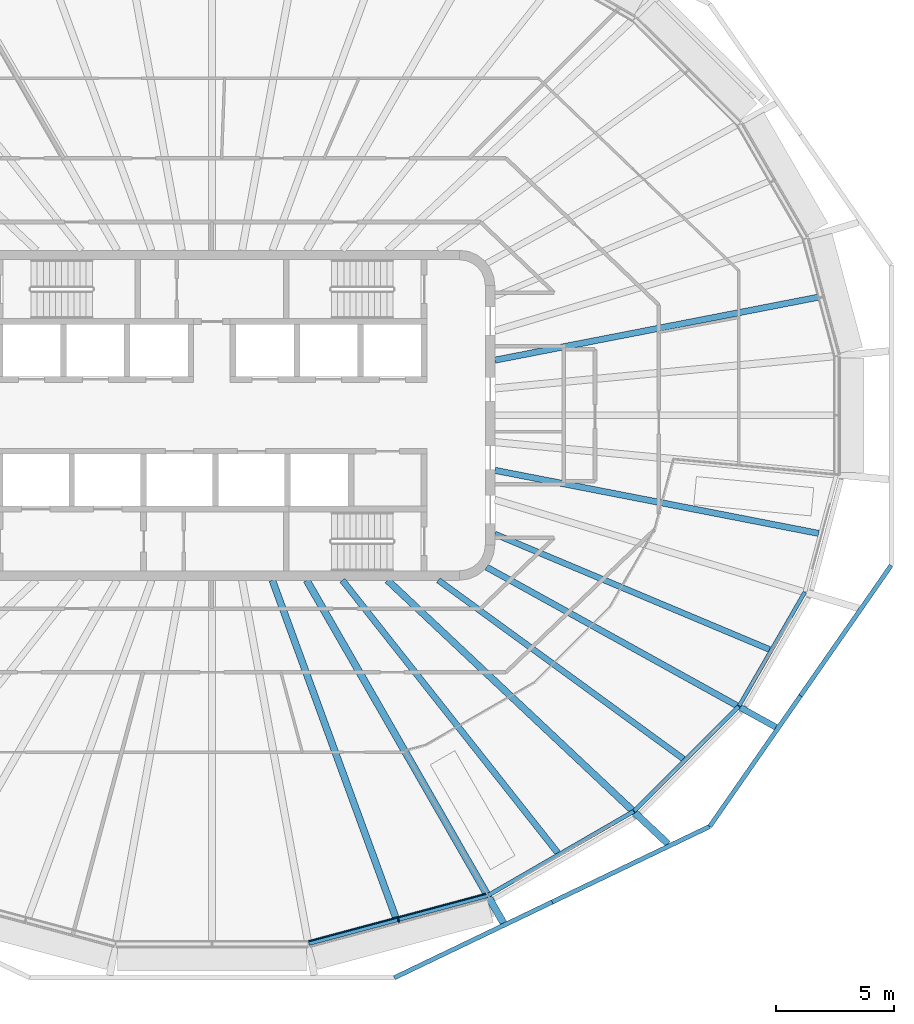
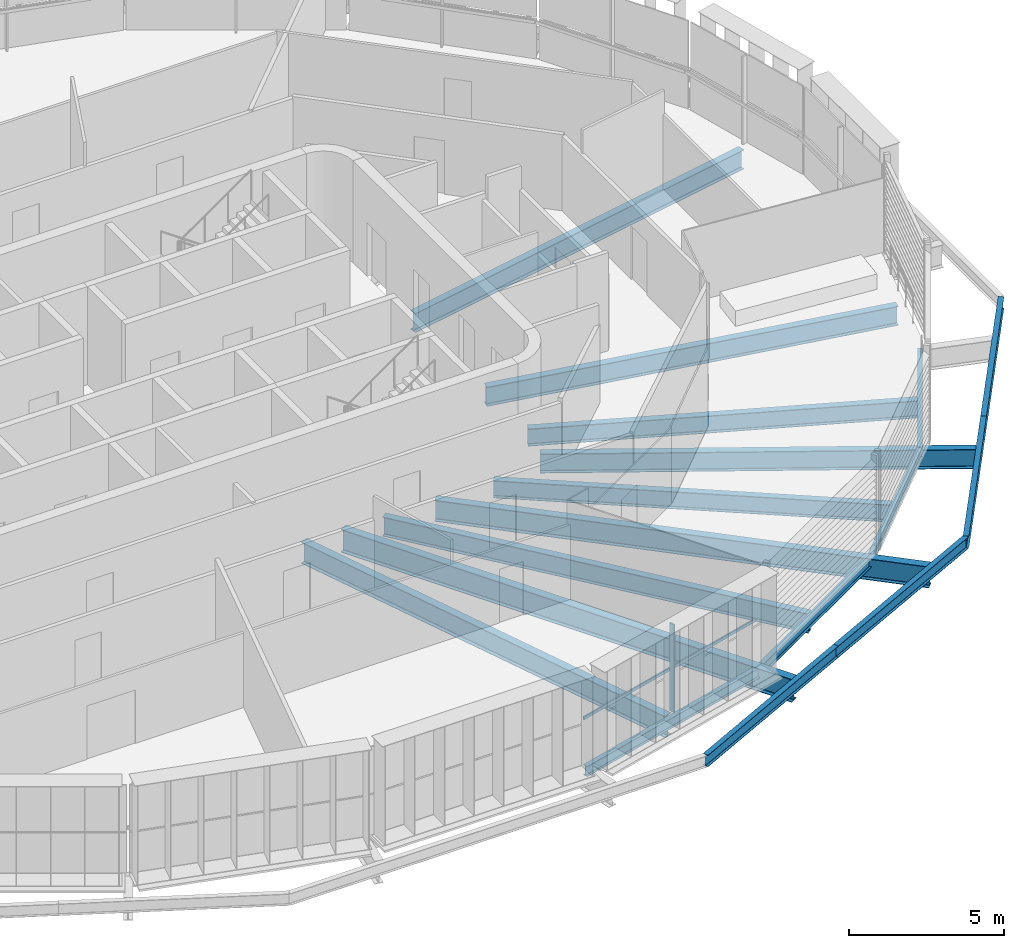
# One storey, part 4 of 21: 17 beams, 2 members, 1 element without a shape of its own.
"""IFC4 building model written with IfcOpenShell, lengths in metres."""

from ifc_helpers import new_model, si_unit, direction, frame, origin, origin_2d, place, context, subcontext, project, spatial, rectangle, i_section, extrude, material, layer, layer_set, material_profile, profile_set, type_object, element, aggregate, save


model = new_model("IFC4")

# Units and contexts
model_context = context("Model", 3, precision=1e-05, world=origin(), true_north=direction((0.0, 1.0)))
body_context = subcontext(model_context, "Body", "Model", "MODEL_VIEW")
ifc_project = project(units=[si_unit("LENGTHUNIT", "METRE"), si_unit("AREAUNIT", "SQUARE_METRE"), si_unit("VOLUMEUNIT", "CUBIC_METRE"), si_unit("PLANEANGLEUNIT", "RADIAN"), si_unit("MASSUNIT", "GRAM", prefix="KILO")], contexts=[model_context])

# Site, building, storey
site_placement = place(None, origin())
site = spatial("IfcSite", under=ifc_project, at=site_placement, CompositionType="ELEMENT")
building_placement = place(site_placement, origin())
building = spatial("IfcBuilding", under=site, at=building_placement, Name="Sahrelin Media Tower", CompositionType="ELEMENT")
storey_placement = place(building_placement, frame((0.0, 0.0, 304.39990234375)))
storey = spatial("IfcBuildingStorey", under=building, at=storey_placement, Name="L67", CompositionType="ELEMENT", Elevation=304.39990234375)

# Beams
ifc_material_1 = material(Name="Steel S355", Category="steel")
ifc_material_profile_1 = material_profile(ifc_material_1, i_section(OverallWidth=0.1650390625, OverallDepth=0.303466796875, WebThickness=0.006103515625, FlangeThickness=0.01025390625, FilletRadius=0.0087890625, at=origin_2d()), Name="UB 305x165x40")
ifc_profile_set_1 = profile_set([ifc_material_profile_1], Name="Steel S355")
beam_type_1 = type_object("IfcBeamType", Name="Edge beam EB2", PredefinedType="BEAM", material=ifc_profile_set_1)
beam_1_placement = place(storey_placement, frame((25.150634765625, -7.505859375, -0.3515625), z_axis=(-0.500028539159, -0.866008926066, 0.0), x_axis=(0.866008926066, -0.500028539159, 0.0)))
element("IfcBeam", 1, at=beam_1_placement, inside=storey, type_object=beam_type_1, Name="Edge beam L67-03", PredefinedType="BEAM", context=body_context, shape_type="SweptSolid", body=[
    extrude(i_section(OverallWidth=0.1650390625, OverallDepth=0.303466796875, WebThickness=0.006103515625, FlangeThickness=0.01025390625, FilletRadius=0.0087890625, at=origin_2d()), origin(), (0.0, 0.0, 1.0), 5.569580078125),
])
ifc_material_profile_2 = material_profile(ifc_material_1, i_section(OverallWidth=0.17138671875, OverallDepth=0.35498046875, WebThickness=0.00732421875, FlangeThickness=0.011474609375, FilletRadius=0.01025390625, at=origin_2d()), Name="UB 356x171x51")
ifc_profile_set_2 = profile_set([ifc_material_profile_2], Name="Steel S355")
beam_type_2 = type_object("IfcBeamType", Name="Edge beam EB3", PredefinedType="BEAM", material=ifc_profile_set_2)
beam_2_placement = place(storey_placement, frame((22.34814453125, -12.35205078125, -0.37744140625), z_axis=(-0.707087309439, -0.707126252398, 0.0), x_axis=(0.707126252398, -0.707087309439, 0.0)))
element("IfcBeam", 2, at=beam_2_placement, inside=storey, type_object=beam_type_2, Name="Edge beam L67-04", PredefinedType="BEAM", context=body_context, shape_type="SweptSolid", body=[
    extrude(i_section(OverallWidth=0.17138671875, OverallDepth=0.35498046875, WebThickness=0.00732421875, FlangeThickness=0.011474609375, FilletRadius=0.01025390625, at=origin_2d()), origin(), (0.0, 0.0, 1.0), 6.269287109375),
])
ifc_material_profile_3 = material_profile(ifc_material_1, i_section(OverallWidth=0.177978515625, OverallDepth=0.406494140625, WebThickness=0.0078125, FlangeThickness=0.0126953125, FilletRadius=0.01025390625, at=origin_2d()), Name="UB 406x178x60")
ifc_profile_set_3 = profile_set([ifc_material_profile_3], Name="Steel S355")
beam_type_3 = type_object("IfcBeamType", Name="Edge beam EB4", PredefinedType="BEAM", material=ifc_profile_set_3)
beam_3_placement = place(storey_placement, frame((17.892333984375, -16.802490234375, -0.403076171875), z_axis=(-0.866011952646, -0.500023297332, 0.0), x_axis=(0.500023297332, -0.866011952646, 0.0)))
element("IfcBeam", 3, at=beam_3_placement, inside=storey, type_object=beam_type_3, Name="Edge beam L67-05", PredefinedType="BEAM", context=body_context, shape_type="SweptSolid", body=[
    extrude(i_section(OverallWidth=0.177978515625, OverallDepth=0.406494140625, WebThickness=0.0078125, FlangeThickness=0.0126953125, FilletRadius=0.01025390625, at=origin_2d()), origin(), (0.0, 0.0, 1.0), 7.118408203125),
])
beam_4_placement = place(storey_placement, frame((11.701171875, -20.372802734375, -0.403076171875), z_axis=(-0.965926976283, -0.258814753228, 0.0), x_axis=(0.258814753228, -0.965926976283, 0.0)))
element("IfcBeam", 4, at=beam_4_placement, inside=storey, type_object=beam_type_3, Name="Edge beam L67-06", PredefinedType="BEAM", context=body_context, shape_type="SweptSolid", body=[
    extrude(i_section(OverallWidth=0.177978515625, OverallDepth=0.406494140625, WebThickness=0.0078125, FlangeThickness=0.0126953125, FilletRadius=0.01025390625, at=origin_2d()), origin(), (0.0, 0.0, 1.0), 7.859619140625),
])

# Curtain wall, member
ifc_material_2 = material(Name="Champagne anodised aluminium 6063-T6", Category="aluminium")
ifc_layer = layer(ifc_material_2, 0.14990234375)
ifc_layer_set = layer_set([ifc_layer], Name="Tower ribbon curtain wall")
curtain_wall_type = type_object("IfcCurtainWallType", Name="Tower ribbon curtain wall", PredefinedType="NOTDEFINED", material=ifc_layer_set)
curtain_wall_placement = place(storey_placement, frame((7.944091796875, -21.53466796875, 0.0), z_axis=(0.0, 0.0, 1.0), x_axis=(1.0, 0.0, 0.0)))
curtain_wall = element("IfcCurtainWall", 5, at=curtain_wall_placement, inside=storey, type_object=curtain_wall_type, Name="L67:CW:L67-19", PredefinedType="NOTDEFINED")
ifc_material_profile_4 = material_profile(ifc_material_2, rectangle(XDim=0.06005859375, YDim=0.199951171875, at=origin_2d()), Name="Mullion 60x200")
ifc_profile_set_4 = profile_set([ifc_material_profile_4], Name="Champagne anodised aluminium 6063-T6")
member_type_1 = type_object("IfcMemberType", Name="Mullion 60x200 CW1C", PredefinedType="MULLION", material=ifc_profile_set_4)
member_1_placement = place(storey_placement, frame((7.9130859375, -21.418701171875, 0.0), z_axis=(0.0, 0.0, 1.0), x_axis=(0.965925374563, 0.258820730961, 0.0)))
member_1 = element("IfcMember", 6, at=member_1_placement, type_object=member_type_1, Name="L67:CWM:L67-19", PredefinedType="MULLION", context=body_context, shape_type="SweptSolid", body=[
    extrude(rectangle(XDim=0.06005859375, YDim=0.199951171875, at=origin_2d()), origin(), (0.0, 0.0, 1.0), 3.44873046875),
])

# Beams
ifc_material_profile_5 = material_profile(ifc_material_1, i_section(OverallWidth=0.291748046875, OverallDepth=0.8349609375, WebThickness=0.013916015625, FlangeThickness=0.018798828125, FilletRadius=0.017822265625, at=origin_2d()), Name="UB 838x292x176")
ifc_profile_set_5 = profile_set([ifc_material_profile_5], Name="Steel S355")
beam_type_4 = type_object("IfcBeamType", Name="Radial primary beam PB10", PredefinedType="BEAM", material=ifc_profile_set_5)
beam_5_placement = place(storey_placement, frame((7.447509765625, -7.0, -0.6171875), z_axis=(0.728671974562, -0.684862872032, 0.0), x_axis=(0.684862872032, 0.728671974562, 0.0)))
element("IfcBeam", 7, at=beam_5_placement, inside=storey, type_object=beam_type_4, Name="Radial beam L67-21", PredefinedType="BEAM", context=body_context, shape_type="SweptSolid", body=[
    extrude(i_section(OverallWidth=0.291748046875, OverallDepth=0.8349609375, WebThickness=0.013916015625, FlangeThickness=0.018798828125, FilletRadius=0.017822265625, at=origin_2d()), origin(), (0.0, 0.0, 1.0), 16.333984375),
])
ifc_material_profile_6 = material_profile(ifc_material_1, i_section(OverallWidth=0.30322265625, OverallDepth=0.903076171875, WebThickness=0.01513671875, FlangeThickness=0.020263671875, FilletRadius=0.01904296875, at=origin_2d()), Name="UB 914x305x201")
ifc_profile_set_6 = profile_set([ifc_material_profile_6], Name="Steel S355")
beam_type_5 = type_object("IfcBeamType", Name="Radial primary beam PB11", PredefinedType="BEAM", material=ifc_profile_set_6)
beam_6_placement = place(storey_placement, frame((4.018310546875, -7.0, -0.601318359375), z_axis=(0.497863258598, -0.867255542351, 0.0), x_axis=(0.867255542351, 0.497863258598, 0.0)))
element("IfcBeam", 8, at=beam_6_placement, inside=storey, type_object=beam_type_5, Name="Radial beam L67-20", PredefinedType="BEAM", context=body_context, shape_type="SweptSolid", body=[
    extrude(i_section(OverallWidth=0.30322265625, OverallDepth=0.903076171875, WebThickness=0.01513671875, FlangeThickness=0.020263671875, FilletRadius=0.01904296875, at=origin_2d()), origin(), (0.0, 0.0, 1.0), 16.762939453125),
])
ifc_material_profile_7 = material_profile(ifc_material_1, i_section(OverallWidth=0.26513671875, OverallDepth=0.75390625, WebThickness=0.0126953125, FlangeThickness=0.017578125, FilletRadius=0.0166015625, at=origin_2d()), Name="UB 762x267x147")
ifc_profile_set_7 = profile_set([ifc_material_profile_7], Name="Steel S355")
beam_type_6 = type_object("IfcBeamType", Name="Radial primary beam PB9", PredefinedType="BEAM", material=ifc_profile_set_7)
beam_7_placement = place(storey_placement, frame((11.650146484375, -6.444091796875, -0.576904296875), z_axis=(0.875046431692, -0.484038988495, 0.0), x_axis=(0.484038988495, 0.875046431692, 0.0)))
element("IfcBeam", 9, at=beam_7_placement, inside=storey, type_object=beam_type_6, Name="Radial beam L67-22", PredefinedType="BEAM", context=body_context, shape_type="SweptSolid", body=[
    extrude(i_section(OverallWidth=0.26513671875, OverallDepth=0.75390625, WebThickness=0.0126953125, FlangeThickness=0.017578125, FilletRadius=0.0166015625, at=origin_2d()), origin(), (0.0, 0.0, 1.0), 14.029296875),
])
ifc_material_profile_8 = material_profile(ifc_material_1, i_section(OverallWidth=0.291748046875, OverallDepth=0.8349609375, WebThickness=0.013916015625, FlangeThickness=0.018798828125, FilletRadius=0.017822265625, at=origin_2d()), Name="UB 838x292x176")
ifc_profile_set_8 = profile_set([ifc_material_profile_8], Name="Steel S355")
beam_type_7 = type_object("IfcBeamType", Name="Radial secondary beam SB10", PredefinedType="BEAM", material=ifc_profile_set_8)
beam_8_placement = place(storey_placement, frame((2.561279296875, -7.0, -0.5673828125), z_axis=(0.343626287634, -0.939106476629, 0.0), x_axis=(0.939106476629, 0.343626287634, 0.0)))
element("IfcBeam", 10, at=beam_8_placement, inside=storey, type_object=beam_type_7, Name="Secondary beam L67-19", PredefinedType="BEAM", context=body_context, shape_type="SweptSolid", body=[
    extrude(i_section(OverallWidth=0.291748046875, OverallDepth=0.8349609375, WebThickness=0.013916015625, FlangeThickness=0.018798828125, FilletRadius=0.017822265625, at=origin_2d()), origin(), (0.0, 0.0, 1.0), 15.254150390625),
])
ifc_material_profile_9 = material_profile(ifc_material_1, i_section(OverallWidth=0.2529296875, OverallDepth=0.677978515625, WebThickness=0.01171875, FlangeThickness=0.01611328125, FilletRadius=0.01513671875, at=origin_2d()), Name="UB 686x254x125")
ifc_profile_set_9 = profile_set([ifc_material_profile_9], Name="Steel S355")
beam_type_8 = type_object("IfcBeamType", Name="Radial secondary beam SB8", PredefinedType="BEAM", material=ifc_profile_set_9)
beam_9_placement = place(storey_placement, frame((9.60400390625, -7.0, -0.538818359375), z_axis=(0.808118555144, -0.589019864548, 0.0), x_axis=(0.589019864548, 0.808118555144, 0.0)))
element("IfcBeam", 11, at=beam_9_placement, inside=storey, type_object=beam_type_8, Name="Secondary beam L67-21", PredefinedType="BEAM", context=body_context, shape_type="SweptSolid", body=[
    extrude(i_section(OverallWidth=0.2529296875, OverallDepth=0.677978515625, WebThickness=0.01171875, FlangeThickness=0.01611328125, FilletRadius=0.01513671875, at=origin_2d()), origin(), (0.0, 0.0, 1.0), 12.86572265625),
])
beam_10_placement = place(storey_placement, frame((12.0, -5.04052734375, -0.538818359375), z_axis=(0.921969553499, -0.38726236897, 0.0), x_axis=(0.38726236897, 0.921969553499, 0.0)))
element("IfcBeam", 12, at=beam_10_placement, inside=storey, type_object=beam_type_8, Name="Secondary beam L67-22", PredefinedType="BEAM", context=body_context, shape_type="SweptSolid", body=[
    extrude(i_section(OverallWidth=0.2529296875, OverallDepth=0.677978515625, WebThickness=0.01171875, FlangeThickness=0.01611328125, FilletRadius=0.01513671875, at=origin_2d()), origin(), (0.0, 0.0, 1.0), 12.638916015625),
])
ifc_material_profile_10 = material_profile(ifc_material_1, i_section(OverallWidth=0.26513671875, OverallDepth=0.75390625, WebThickness=0.0126953125, FlangeThickness=0.017578125, FilletRadius=0.0166015625, at=origin_2d()), Name="UB 762x267x147")
ifc_profile_set_10 = profile_set([ifc_material_profile_10], Name="Steel S355")
beam_type_9 = type_object("IfcBeamType", Name="Radial secondary beam SB9", PredefinedType="BEAM", material=ifc_profile_set_10)
beam_11_placement = place(storey_placement, frame((12.0, 2.336669921875, -0.52685546875), z_axis=(0.981563058453, 0.191138594431, 0.0), x_axis=(-0.191138594431, 0.981563058453, 0.0)))
element("IfcBeam", 13, at=beam_11_placement, inside=storey, type_object=beam_type_9, Name="Secondary beam L67-01", PredefinedType="BEAM", context=body_context, shape_type="SweptSolid", body=[
    extrude(i_section(OverallWidth=0.26513671875, OverallDepth=0.75390625, WebThickness=0.0126953125, FlangeThickness=0.017578125, FilletRadius=0.0166015625, at=origin_2d()), origin(), (0.0, 0.0, 1.0), 13.995361328125),
])
beam_12_placement = place(storey_placement, frame((5.531494140625, -7.0, -0.576904296875), z_axis=(0.620008435569, -0.784595143895, 0.0), x_axis=(0.784595143895, 0.620008435569, 0.0)))
element("IfcBeam", 14, at=beam_12_placement, inside=storey, type_object=beam_type_9, Name="Secondary beam L67-20", PredefinedType="BEAM", context=body_context, shape_type="SweptSolid", body=[
    extrude(i_section(OverallWidth=0.26513671875, OverallDepth=0.75390625, WebThickness=0.0126953125, FlangeThickness=0.017578125, FilletRadius=0.0166015625, at=origin_2d()), origin(), (0.0, 0.0, 1.0), 14.735595703125),
])
beam_13_placement = place(storey_placement, frame((12.0, -2.336669921875, -0.576904296875), z_axis=(0.981563058453, -0.191138594431, 0.0), x_axis=(0.191138594431, 0.981563058453, 0.0)))
element("IfcBeam", 15, at=beam_13_placement, inside=storey, type_object=beam_type_9, Name="Secondary beam L67-23", PredefinedType="BEAM", context=body_context, shape_type="SweptSolid", body=[
    extrude(i_section(OverallWidth=0.26513671875, OverallDepth=0.75390625, WebThickness=0.0126953125, FlangeThickness=0.017578125, FilletRadius=0.0166015625, at=origin_2d()), origin(), (0.0, 0.0, 1.0), 13.995361328125),
])
ifc_material_profile_11 = material_profile(ifc_material_1, i_section(OverallWidth=0.1904296875, OverallDepth=0.45703125, WebThickness=0.009033203125, FlangeThickness=0.014404296875, FilletRadius=0.01025390625, at=origin_2d()), Name="UB 457x191x74")
ifc_profile_set_11 = profile_set([ifc_material_profile_11], Name="Steel S355")
beam_type_10 = type_object("IfcBeamType", Name="Tie chord TC5", PredefinedType="BEAM", material=ifc_profile_set_11)
beam_14_placement = place(storey_placement, frame((28.809814453125, -6.3740234375, -0.37841796875), z_axis=(-0.570620128594, -0.82121414311, 0.0), x_axis=(0.82121414311, -0.570620128594, 0.0)))
element("IfcBeam", 16, at=beam_14_placement, inside=storey, type_object=beam_type_10, Name="Tie chord L67-02", PredefinedType="BEAM", context=body_context, shape_type="SweptSolid", body=[
    extrude(i_section(OverallWidth=0.1904296875, OverallDepth=0.45703125, WebThickness=0.009033203125, FlangeThickness=0.014404296875, FilletRadius=0.01025390625, at=origin_2d()), origin(), (0.0, 0.0, 1.0), 6.730224609375),
])
beam_15_placement = place(storey_placement, frame((24.969482421875, -11.90087890625, -0.37841796875), z_axis=(-0.570711589945, -0.821150583695, 0.0), x_axis=(0.821150583695, -0.570711589945, 0.0)))
element("IfcBeam", 17, at=beam_15_placement, inside=storey, type_object=beam_type_10, Name="Tie chord L67-03", PredefinedType="BEAM", context=body_context, shape_type="SweptSolid", body=[
    extrude(i_section(OverallWidth=0.1904296875, OverallDepth=0.45703125, WebThickness=0.009033203125, FlangeThickness=0.014404296875, FilletRadius=0.01025390625, at=origin_2d()), origin(), (0.0, 0.0, 1.0), 6.750732421875),
])
beam_16_placement = place(storey_placement, frame((21.11669921875, -17.4443359375, -0.37841796875), z_axis=(-0.901607856923, -0.432554357664, 0.0), x_axis=(0.432554357664, -0.901607856923, 0.0)))
element("IfcBeam", 18, at=beam_16_placement, inside=storey, type_object=beam_type_10, Name="Tie chord L67-04", PredefinedType="BEAM", context=body_context, shape_type="SweptSolid", body=[
    extrude(i_section(OverallWidth=0.1904296875, OverallDepth=0.45703125, WebThickness=0.009033203125, FlangeThickness=0.014404296875, FilletRadius=0.01025390625, at=origin_2d()), origin(), (0.0, 0.0, 1.0), 7.411376953125),
])
beam_17_placement = place(storey_placement, frame((14.4345703125, -20.650146484375, -0.37841796875), z_axis=(-0.90164251984, -0.432482099533, 0.0), x_axis=(0.432482099533, -0.90164251984, 0.0)))
element("IfcBeam", 19, at=beam_17_placement, inside=storey, type_object=beam_type_10, Name="Tie chord L67-05", PredefinedType="BEAM", context=body_context, shape_type="SweptSolid", body=[
    extrude(i_section(OverallWidth=0.1904296875, OverallDepth=0.45703125, WebThickness=0.009033203125, FlangeThickness=0.014404296875, FilletRadius=0.01025390625, at=origin_2d()), origin(), (0.0, 0.0, 1.0), 7.428466796875),
])

# Member
ifc_material_profile_12 = material_profile(ifc_material_2, rectangle(XDim=0.050048828125, YDim=0.1201171875, at=origin_2d()), Name="Transom 50x120")
ifc_profile_set_12 = profile_set([ifc_material_profile_12], Name="Champagne anodised aluminium 6063-T6")
member_type_2 = type_object("IfcMemberType", Name="Transom 50x120 CW1C", PredefinedType="USERDEFINED", material=ifc_profile_set_12)
member_2_placement = place(storey_placement, frame((4.099853515625, -22.31103515625, 1.60009765625), z_axis=(0.965925221164, 0.25882130345, 0.0), x_axis=(-0.25882130345, 0.965925221164, 0.0)))
member_2 = element("IfcMember", 20, at=member_2_placement, type_object=member_type_2, Name="L67:CWT:L67-19", ObjectType="TRANSOM", PredefinedType="USERDEFINED", context=body_context, shape_type="SweptSolid", body=[
    extrude(rectangle(XDim=0.050048828125, YDim=0.1201171875, at=origin_2d()), origin(), (0.0, 0.0, 1.0), 7.828369140625),
])

aggregate(curtain_wall, [member_1, member_2])

save(model, "model.ifc")
